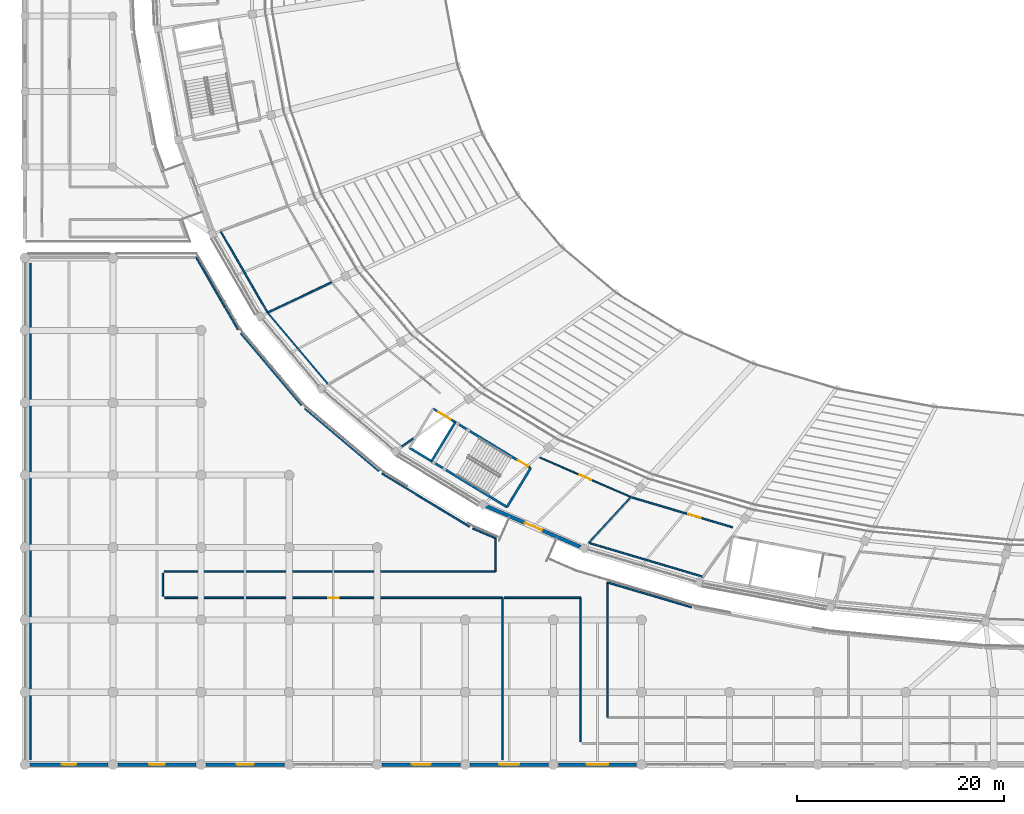
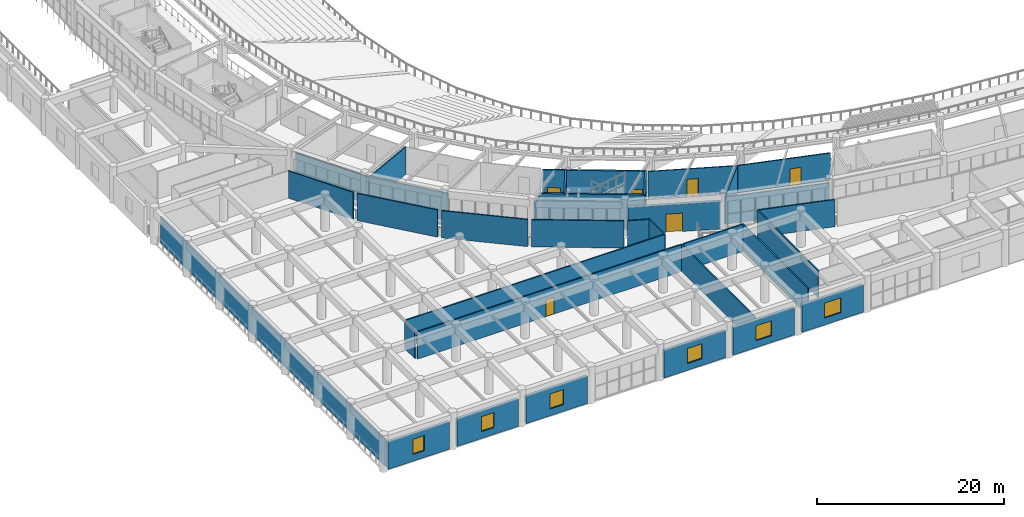
# One storey, part 91 of 137: 34 walls, 6 doors, 6 windows, 12 openings.
"""IFC4 building model written with IfcOpenShell, lengths in metres."""

from ifc_helpers import new_model, si_unit, direction, frame, frame_2d, origin, place, context, subcontext, project, spatial, rectangle, extrude, material, layer, layer_set, type_object, element, fill, save


model = new_model("IFC4")

# Units and contexts
model_context = context("Model", 3, precision=1e-05, world=origin(), true_north=direction((0.0, 1.0)))
body_context = subcontext(model_context, "Body", "Model", "MODEL_VIEW")
ifc_project = project(units=[si_unit("LENGTHUNIT", "METRE"), si_unit("AREAUNIT", "SQUARE_METRE"), si_unit("VOLUMEUNIT", "CUBIC_METRE"), si_unit("PLANEANGLEUNIT", "RADIAN"), si_unit("MASSUNIT", "GRAM", prefix="KILO")], contexts=[model_context])

# Site, building, storey
site_placement = place(None, origin())
site = spatial("IfcSite", under=ifc_project, at=site_placement, CompositionType="ELEMENT")
building_placement = place(site_placement, origin())
building = spatial("IfcBuilding", under=site, at=building_placement, Name="Mphavela Belvedere Stadium", CompositionType="ELEMENT")
storey_placement = place(building_placement, frame((0.0, 0.0, 19.199951171875)))
storey = spatial("IfcBuildingStorey", under=building, at=storey_placement, Name="L04", CompositionType="ELEMENT", Elevation=19.199951171875)

# Walls
ifc_material_1 = material(Name="Concrete C40/50", Category="concrete")
ifc_layer_1 = layer(ifc_material_1, 0.219970703125)
ifc_layer_set_1 = layer_set([ifc_layer_1], Name="Concrete C40/50")
wall_type_1 = type_object("IfcWallType", Name="WAL-CORE-SHEAR-220", PredefinedType="SHEAR", material=ifc_layer_set_1)
wall_1_placement = place(storey_placement, frame((46.62060546875, 24.908935546875, 0.0), z_axis=(0.0, 0.0, 1.0), x_axis=(-0.854373055797, 0.519660159651, 0.0)))
element("IfcWall", 1, at=wall_1_placement, inside=storey, type_object=wall_type_1, Name="Core C10 shear wall L04 rear", PredefinedType="SHEAR", context=body_context, shape_type="SweptSolid", body=[
    extrude(rectangle(XDim=11.019775390625, YDim=0.219970703125, at=frame_2d((5.509765625, 0.0))), origin(), (0.0, 0.0, 1.0), 4.550048828125),
])
wall_2_placement = place(storey_placement, frame((48.91259765625, 28.676513671875, 0.0), z_axis=(0.0, 0.0, 1.0), x_axis=(-0.519729151243, -0.854331088834, 0.0)))
element("IfcWall", 2, at=wall_2_placement, inside=storey, type_object=wall_type_1, Name="Core C10 shear wall L04 left", PredefinedType="SHEAR", context=body_context, shape_type="SweptSolid", body=[
    extrude(rectangle(XDim=4.409912109375, YDim=0.219970703125, at=frame_2d((2.205078125, 0.0))), origin(), (0.0, 0.0, 1.0), 4.550048828125),
])

# Wall, openings, doors
wall_3_placement = place(storey_placement, frame((48.91259765625, 28.676513671875, 0.0), z_axis=(0.0, 0.0, 1.0), x_axis=(-0.854369202373, 0.51966649501, 0.0)))
wall_3 = element("IfcWall", 3, at=wall_3_placement, inside=storey, type_object=wall_type_1, Name="Core C10 shear wall L04 front", PredefinedType="SHEAR", context=body_context, shape_type="SweptSolid", body=[
    extrude(rectangle(XDim=11.020263671875, YDim=0.219970703125, at=frame_2d((5.51025390625, 0.0))), origin(), (0.0, 0.0, 1.0), 4.550048828125),
])
opening_1_placement = place(wall_3_placement, frame((0.300048828125, 0.0, 0.0)))
opening_1 = element("IfcOpeningElement", 4, at=opening_1_placement, cuts=wall_3, Name="Opening SD-055", PredefinedType="OPENING", context=body_context, shape_type="SweptSolid", body=[
    extrude(rectangle(XDim=1.14990234375, YDim=2.14990234375, at=frame_2d((0.574951171875, 1.074951171875))), frame((0.0, 0.1201171875, 0.0), z_axis=(0.0, -1.0, 0.0), x_axis=(1.0, 0.0, 0.0)), (0.0, 0.0, 1.0), 0.239990234375),
])
opening_2_placement = place(wall_3_placement, frame((9.080078125, 0.0, 0.0)))
opening_2 = element("IfcOpeningElement", 5, at=opening_2_placement, cuts=wall_3, Name="Opening LD-055", PredefinedType="OPENING", context=body_context, shape_type="SweptSolid", body=[
    extrude(rectangle(XDim=1.39990234375, YDim=2.25, at=frame_2d((0.699951171875, 1.125))), frame((0.0, 0.1201171875, 0.0), z_axis=(0.0, -1.0, 0.0), x_axis=(1.0, 0.0, 0.0)), (0.0, 0.0, 1.0), 0.239990234375),
])
ifc_material_2 = material(Name="Heavy-duty stainless steel goods lift landing door", Category="steel")
door_type_1 = type_object("IfcDoorType", Name="DR-LIFT-SLIDE-1400", OperationType="NOTDEFINED", PredefinedType="DOOR", material=ifc_material_2)
door_1_placement = place(opening_2_placement, origin())
door_1 = element("IfcDoor", 6, at=door_1_placement, inside=storey, type_object=door_type_1, Name="Lift landing sliding door GL02 L04", OperationType="DOUBLE_DOOR_SLIDING", OverallHeight=2.25, OverallWidth=1.39990234375, PredefinedType="DOOR", context=body_context, shape_type="SweptSolid", body=[
    extrude(rectangle(XDim=1.39990234375, YDim=2.25, at=frame_2d((0.699951171875, 1.125))), frame((0.0, 0.02490234375, 0.0), z_axis=(0.0, -1.0, 0.0), x_axis=(1.0, 0.0, 0.0)), (0.0, 0.0, 1.0), 0.050048828125),
])
fill(opening_2, door_1)
ifc_material_3 = material(Name="Steel acoustic fire-resisting stair doorset", Category="steel")
door_type_2 = type_object("IfcDoorType", Name="DR-STAIR-FIRE-1150", OperationType="NOTDEFINED", PredefinedType="DOOR", material=ifc_material_3)
door_2_placement = place(opening_1_placement, origin())
door_2 = element("IfcDoor", 7, at=door_2_placement, inside=storey, type_object=door_type_2, Name="Escape stair fire door C10 L04", OperationType="SINGLE_SWING_LEFT", OverallHeight=2.14990234375, OverallWidth=1.14990234375, PredefinedType="DOOR", context=body_context, shape_type="SweptSolid", body=[
    extrude(rectangle(XDim=1.14990234375, YDim=2.14990234375, at=frame_2d((0.574951171875, 1.074951171875))), frame((0.0, 0.02490234375, 0.0), z_axis=(0.0, -1.0, 0.0), x_axis=(1.0, 0.0, 0.0)), (0.0, 0.0, 1.0), 0.050048828125),
])
fill(opening_1, door_2)

# Wall
wall_4_placement = place(storey_placement, frame((41.6162109375, 33.114501953125, 0.0), z_axis=(0.0, 0.0, 1.0), x_axis=(-0.519664162523, -0.854370621095, 0.0)))
element("IfcWall", 8, at=wall_4_placement, inside=storey, type_object=wall_type_1, Name="Core C10 shear wall L04 div", PredefinedType="SHEAR", context=body_context, shape_type="SweptSolid", body=[
    extrude(rectangle(XDim=4.41015625, YDim=0.219970703125, at=frame_2d((2.205078125, 0.0))), origin(), (0.0, 0.0, 1.0), 4.550048828125),
])

# Wall, opening, door
ifc_material_4 = material(Name="Honed ashlar limestone masonry", Category="masonry")
ifc_layer_2 = layer(ifc_material_4, 0.35009765625)
ifc_layer_set_2 = layer_set([ifc_layer_2], Name="Honed ashlar limestone masonry")
wall_type_2 = type_object("IfcWallType", Name="WAL-EXT-ASHLAR-350", PredefinedType="STANDARD", material=ifc_layer_set_2)
wall_5_placement = place(storey_placement, frame((53.7431640625, 21.047119140625, 0.0), z_axis=(0.0, 0.0, 1.0), x_axis=(-0.917498268626, 0.397739773052, 0.0)))
wall_5 = element("IfcWall", 9, at=wall_5_placement, inside=storey, type_object=wall_type_2, Name="Classical link portal wall L04-32", PredefinedType="STANDARD", context=body_context, shape_type="SweptSolid", body=[
    extrude(rectangle(XDim=9.940185546875, YDim=0.35009765625, at=frame_2d((4.97021484375, 0.0))), origin(), (0.0, 0.0, 1.0), 3.570068359375),
])
opening_3_placement = place(wall_5_placement, frame((4.070068359375, 0.0, 0.0)))
opening_3 = element("IfcOpeningElement", 10, at=opening_3_placement, cuts=wall_5, Name="Opening ID-9431", PredefinedType="OPENING", context=body_context, shape_type="SweptSolid", body=[
    extrude(rectangle(XDim=1.800048828125, YDim=2.39990234375, at=frame_2d((0.89990234375, 1.199951171875))), frame((0.0, 0.18505859375, 0.0), z_axis=(0.0, -1.0, 0.0), x_axis=(1.0, 0.0, 0.0)), (0.0, 0.0, 1.0), 0.3701171875),
])
ifc_material_5 = material(Name="Glazed bronze-anodised steel exit doorset", Category="steel")
door_type_3 = type_object("IfcDoorType", Name="DR-EXT-01", OperationType="NOTDEFINED", PredefinedType="DOOR", material=ifc_material_5)
door_3_placement = place(opening_3_placement, origin())
door_3 = element("IfcDoor", 11, at=door_3_placement, inside=storey, type_object=door_type_3, Name="Wing promenade link doorset L04-32", OperationType="DOUBLE_DOOR_SINGLE_SWING", OverallHeight=2.39990234375, OverallWidth=1.800048828125, PredefinedType="DOOR", context=body_context, shape_type="SweptSolid", body=[
    extrude(rectangle(XDim=1.800048828125, YDim=2.39990234375, at=frame_2d((0.89990234375, 1.199951171875))), frame((0.0, 0.02490234375, 0.0), z_axis=(0.0, -1.0, 0.0), x_axis=(1.0, 0.0, 0.0)), (0.0, 0.0, 1.0), 0.050048828125),
])
fill(opening_3, door_3)

# Wall, opening, window
wall_6_placement = place(storey_placement, frame((8.0458984375, 0.0, 0.0), z_axis=(0.0, 0.0, 1.0), x_axis=(-1.0, 0.0, 0.0)))
wall_6 = element("IfcWall", 12, at=wall_6_placement, inside=storey, type_object=wall_type_2, Name="South Axial Triumphal Peristyle Portico outer facade bay L04-01", PredefinedType="STANDARD", context=body_context, shape_type="SweptSolid", body=[
    extrude(rectangle(XDim=7.572998046875, YDim=0.35009765625, at=frame_2d((3.78662109375, 0.0))), origin(), (0.0, 0.0, 1.0), 3.56005859375),
])
opening_4_placement = place(wall_6_placement, frame((3.096435546875, 0.0, 0.89990234375)))
opening_4 = element("IfcOpeningElement", 13, at=opening_4_placement, cuts=wall_6, Name="Opening W-113", PredefinedType="OPENING", context=body_context, shape_type="SweptSolid", body=[
    extrude(rectangle(XDim=1.3798828125, YDim=1.949951171875, at=frame_2d((0.68994140625, 0.97509765625))), frame((0.0, 0.18505859375, 0.0), z_axis=(0.0, -1.0, 0.0), x_axis=(1.0, 0.0, 0.0)), (0.0, 0.0, 1.0), 0.3701171875),
])
ifc_material_6 = material(Name="Bronze-anodised thermally broken aluminium window", Category="aluminium")
window_type_1 = type_object("IfcWindowType", Name="WIN-EXT-25", PartitioningType="SINGLE_PANEL", PredefinedType="WINDOW", material=ifc_material_6)
window_1_placement = place(opening_4_placement, origin())
window_1 = element("IfcWindow", 14, at=window_1_placement, inside=storey, type_object=window_type_1, Name="South Axial Triumphal Peristyle Portico classical window W-113", OverallHeight=1.949951171875, OverallWidth=1.3798828125, PartitioningType="SINGLE_PANEL", PredefinedType="WINDOW", context=body_context, shape_type="SweptSolid", body=[
    extrude(rectangle(XDim=1.3798828125, YDim=1.949951171875, at=frame_2d((0.68994140625, 0.97509765625))), frame((0.0, 0.030029296875, 0.0), z_axis=(0.0, -1.0, 0.0), x_axis=(1.0, 0.0, 0.0)), (0.0, 0.0, 1.0), 0.06005859375),
])
fill(opening_4, window_1)

wall_7_placement = place(storey_placement, frame((16.56396484375, 0.0, 0.0), z_axis=(0.0, 0.0, 1.0), x_axis=(-1.0, 0.0, 0.0)))
wall_7 = element("IfcWall", 15, at=wall_7_placement, inside=storey, type_object=wall_type_2, Name="South Axial Triumphal Peristyle Portico outer facade bay L04-02", PredefinedType="STANDARD", context=body_context, shape_type="SweptSolid", body=[
    extrude(rectangle(XDim=7.572021484375, YDim=0.35009765625, at=frame_2d((3.7861328125, 0.0))), origin(), (0.0, 0.0, 1.0), 3.56005859375),
])
opening_5_placement = place(wall_7_placement, frame((3.02587890625, 0.0, 0.89990234375)))
opening_5 = element("IfcOpeningElement", 16, at=opening_5_placement, cuts=wall_7, Name="Opening W-114", PredefinedType="OPENING", context=body_context, shape_type="SweptSolid", body=[
    extrude(rectangle(XDim=1.52001953125, YDim=1.949951171875, at=frame_2d((0.760009765625, 0.97509765625))), frame((0.0, 0.18505859375, 0.0), z_axis=(0.0, -1.0, 0.0), x_axis=(1.0, 0.0, 0.0)), (0.0, 0.0, 1.0), 0.3701171875),
])
ifc_material_7 = material(Name="Bronze-anodised thermally broken aluminium window", Category="aluminium")
window_type_2 = type_object("IfcWindowType", Name="WIN-EXT-26", PartitioningType="SINGLE_PANEL", PredefinedType="WINDOW", material=ifc_material_7)
window_2_placement = place(opening_5_placement, origin())
window_2 = element("IfcWindow", 17, at=window_2_placement, inside=storey, type_object=window_type_2, Name="South Axial Triumphal Peristyle Portico classical window W-114", OverallHeight=1.949951171875, OverallWidth=1.52001953125, PartitioningType="SINGLE_PANEL", PredefinedType="WINDOW", context=body_context, shape_type="SweptSolid", body=[
    extrude(rectangle(XDim=1.52001953125, YDim=1.949951171875, at=frame_2d((0.760009765625, 0.97509765625))), frame((0.0, 0.030029296875, 0.0), z_axis=(0.0, -1.0, 0.0), x_axis=(1.0, 0.0, 0.0)), (0.0, 0.0, 1.0), 0.06005859375),
])
fill(opening_5, window_2)

wall_8_placement = place(storey_placement, frame((25.0830078125, 0.0, 0.0), z_axis=(0.0, 0.0, 1.0), x_axis=(-1.0, 0.0, 0.0)))
wall_8 = element("IfcWall", 18, at=wall_8_placement, inside=storey, type_object=wall_type_2, Name="South Axial Triumphal Peristyle Portico outer facade bay L04-03", PredefinedType="STANDARD", context=body_context, shape_type="SweptSolid", body=[
    extrude(rectangle(XDim=7.572998046875, YDim=0.35009765625, at=frame_2d((3.78662109375, 0.0))), origin(), (0.0, 0.0, 1.0), 3.56005859375),
])
opening_6_placement = place(wall_8_placement, frame((2.95654296875, 0.0, 0.89990234375)))
opening_6 = element("IfcOpeningElement", 19, at=opening_6_placement, cuts=wall_8, Name="Opening W-115", PredefinedType="OPENING", context=body_context, shape_type="SweptSolid", body=[
    extrude(rectangle(XDim=1.659912109375, YDim=1.949951171875, at=frame_2d((0.830078125, 0.97509765625))), frame((0.0, 0.18505859375, 0.0), z_axis=(0.0, -1.0, 0.0), x_axis=(1.0, 0.0, 0.0)), (0.0, 0.0, 1.0), 0.3701171875),
])
ifc_material_8 = material(Name="Bronze-anodised thermally broken aluminium window", Category="aluminium")
window_type_3 = type_object("IfcWindowType", Name="WIN-EXT-27", PartitioningType="SINGLE_PANEL", PredefinedType="WINDOW", material=ifc_material_8)
window_3_placement = place(opening_6_placement, origin())
window_3 = element("IfcWindow", 20, at=window_3_placement, inside=storey, type_object=window_type_3, Name="South Axial Triumphal Peristyle Portico classical window W-115", OverallHeight=1.949951171875, OverallWidth=1.659912109375, PartitioningType="SINGLE_PANEL", PredefinedType="WINDOW", context=body_context, shape_type="SweptSolid", body=[
    extrude(rectangle(XDim=1.659912109375, YDim=1.949951171875, at=frame_2d((0.830078125, 0.97509765625))), frame((0.0, 0.030029296875, 0.0), z_axis=(0.0, -1.0, 0.0), x_axis=(1.0, 0.0, 0.0)), (0.0, 0.0, 1.0), 0.06005859375),
])
fill(opening_6, window_3)

wall_9_placement = place(storey_placement, frame((42.1201171875, 0.0, 0.0), z_axis=(0.0, 0.0, 1.0), x_axis=(-1.0, 0.0, 0.0)))
wall_9 = element("IfcWall", 21, at=wall_9_placement, inside=storey, type_object=wall_type_2, Name="South Axial Triumphal Peristyle Portico outer facade bay L04-05", PredefinedType="STANDARD", context=body_context, shape_type="SweptSolid", body=[
    extrude(rectangle(XDim=7.572998046875, YDim=0.35009765625, at=frame_2d((3.78662109375, 0.0))), origin(), (0.0, 0.0, 1.0), 3.56005859375),
])
opening_7_placement = place(wall_9_placement, frame((2.886474609375, 0.0, 0.89990234375)))
opening_7 = element("IfcOpeningElement", 22, at=opening_7_placement, cuts=wall_9, Name="Opening W-116", PredefinedType="OPENING", context=body_context, shape_type="SweptSolid", body=[
    extrude(rectangle(XDim=1.800048828125, YDim=1.949951171875, at=frame_2d((0.89990234375, 0.97509765625))), frame((0.0, 0.18505859375, 0.0), z_axis=(0.0, -1.0, 0.0), x_axis=(1.0, 0.0, 0.0)), (0.0, 0.0, 1.0), 0.3701171875),
])
ifc_material_9 = material(Name="Bronze-anodised thermally broken aluminium window", Category="aluminium")
window_type_4 = type_object("IfcWindowType", Name="WIN-EXT-28", PartitioningType="SINGLE_PANEL", PredefinedType="WINDOW", material=ifc_material_9)
window_4_placement = place(opening_7_placement, origin())
window_4 = element("IfcWindow", 23, at=window_4_placement, inside=storey, type_object=window_type_4, Name="South Axial Triumphal Peristyle Portico classical window W-116", OverallHeight=1.949951171875, OverallWidth=1.800048828125, PartitioningType="SINGLE_PANEL", PredefinedType="WINDOW", context=body_context, shape_type="SweptSolid", body=[
    extrude(rectangle(XDim=1.800048828125, YDim=1.949951171875, at=frame_2d((0.89990234375, 0.97509765625))), frame((0.0, 0.030029296875, 0.0), z_axis=(0.0, -1.0, 0.0), x_axis=(1.0, 0.0, 0.0)), (0.0, 0.0, 1.0), 0.06005859375),
])
fill(opening_7, window_4)

wall_10_placement = place(storey_placement, frame((50.637939453125, 0.0, 0.0), z_axis=(0.0, 0.0, 1.0), x_axis=(-1.0, 0.0, 0.0)))
wall_10 = element("IfcWall", 24, at=wall_10_placement, inside=storey, type_object=wall_type_2, Name="South Axial Triumphal Peristyle Portico outer facade bay L04-06", PredefinedType="STANDARD", context=body_context, shape_type="SweptSolid", body=[
    extrude(rectangle(XDim=7.572021484375, YDim=0.35009765625, at=frame_2d((3.7861328125, 0.0))), origin(), (0.0, 0.0, 1.0), 3.56005859375),
])
opening_8_placement = place(wall_10_placement, frame((2.81591796875, 0.0, 0.89990234375)))
opening_8 = element("IfcOpeningElement", 25, at=opening_8_placement, cuts=wall_10, Name="Opening W-117", PredefinedType="OPENING", context=body_context, shape_type="SweptSolid", body=[
    extrude(rectangle(XDim=1.93994140625, YDim=1.949951171875, at=frame_2d((0.969970703125, 0.97509765625))), frame((0.0, 0.18505859375, 0.0), z_axis=(0.0, -1.0, 0.0), x_axis=(1.0, 0.0, 0.0)), (0.0, 0.0, 1.0), 0.3701171875),
])
ifc_material_10 = material(Name="Bronze-anodised thermally broken aluminium window", Category="aluminium")
window_type_5 = type_object("IfcWindowType", Name="WIN-EXT-29", PartitioningType="SINGLE_PANEL", PredefinedType="WINDOW", material=ifc_material_10)
window_5_placement = place(opening_8_placement, origin())
window_5 = element("IfcWindow", 26, at=window_5_placement, inside=storey, type_object=window_type_5, Name="South Axial Triumphal Peristyle Portico classical window W-117", OverallHeight=1.949951171875, OverallWidth=1.93994140625, PartitioningType="SINGLE_PANEL", PredefinedType="WINDOW", context=body_context, shape_type="SweptSolid", body=[
    extrude(rectangle(XDim=1.93994140625, YDim=1.949951171875, at=frame_2d((0.969970703125, 0.97509765625))), frame((0.0, 0.030029296875, 0.0), z_axis=(0.0, -1.0, 0.0), x_axis=(1.0, 0.0, 0.0)), (0.0, 0.0, 1.0), 0.06005859375),
])
fill(opening_8, window_5)

wall_11_placement = place(storey_placement, frame((59.156982421875, 0.0, 0.0), z_axis=(0.0, 0.0, 1.0), x_axis=(-1.0, 0.0, 0.0)))
wall_11 = element("IfcWall", 27, at=wall_11_placement, inside=storey, type_object=wall_type_2, Name="South Axial Triumphal Peristyle Portico outer facade bay L04-07", PredefinedType="STANDARD", context=body_context, shape_type="SweptSolid", body=[
    extrude(rectangle(XDim=7.572998046875, YDim=0.35009765625, at=frame_2d((3.78662109375, 0.0))), origin(), (0.0, 0.0, 1.0), 3.56005859375),
])
opening_9_placement = place(wall_11_placement, frame((2.74658203125, 0.0, 0.89990234375)))
opening_9 = element("IfcOpeningElement", 28, at=opening_9_placement, cuts=wall_11, Name="Opening W-118", PredefinedType="OPENING", context=body_context, shape_type="SweptSolid", body=[
    extrude(rectangle(XDim=2.080078125, YDim=1.949951171875, at=frame_2d((1.0400390625, 0.97509765625))), frame((0.0, 0.18505859375, 0.0), z_axis=(0.0, -1.0, 0.0), x_axis=(1.0, 0.0, 0.0)), (0.0, 0.0, 1.0), 0.3701171875),
])
ifc_material_11 = material(Name="Bronze-anodised thermally broken aluminium window", Category="aluminium")
window_type_6 = type_object("IfcWindowType", Name="WIN-EXT-30", PartitioningType="SINGLE_PANEL", PredefinedType="WINDOW", material=ifc_material_11)
window_6_placement = place(opening_9_placement, origin())
window_6 = element("IfcWindow", 29, at=window_6_placement, inside=storey, type_object=window_type_6, Name="South Axial Triumphal Peristyle Portico classical window W-118", OverallHeight=1.949951171875, OverallWidth=2.080078125, PartitioningType="SINGLE_PANEL", PredefinedType="WINDOW", context=body_context, shape_type="SweptSolid", body=[
    extrude(rectangle(XDim=2.080078125, YDim=1.949951171875, at=frame_2d((1.0400390625, 0.97509765625))), frame((0.0, 0.030029296875, 0.0), z_axis=(0.0, -1.0, 0.0), x_axis=(1.0, 0.0, 0.0)), (0.0, 0.0, 1.0), 0.06005859375),
])
fill(opening_9, window_6)

# Wall, opening, door
ifc_material_12 = material(Name="Moisture-resistant sanitary partition assembly")
ifc_layer_3 = layer(ifc_material_12, 0.125)
ifc_layer_set_3 = layer_set([ifc_layer_3], Name="Moisture-resistant sanitary partition assembly")
wall_type_3 = type_object("IfcWallType", Name="WAL-PART-125", PredefinedType="PARTITIONING", material=ifc_layer_set_3)
wall_12_placement = place(storey_placement, frame((49.809814453125, 29.690185546875, 0.0), z_axis=(0.0, 0.0, 1.0), x_axis=(0.917512204383, -0.397707624779, 0.0)))
wall_12 = element("IfcWall", 30, at=wall_12_placement, inside=storey, type_object=wall_type_3, Name="Room L04-81 corridor partition", PredefinedType="PARTITIONING", context=body_context, shape_type="SweptSolid", body=[
    extrude(rectangle(XDim=9.573974609375, YDim=0.125, at=frame_2d((4.787109375, 0.0))), origin(), (0.0, 0.0, 1.0), 3.550048828125),
])
opening_10_placement = place(wall_12_placement, frame((4.177001953125, 0.0, 0.0)))
opening_10 = element("IfcOpeningElement", 31, at=opening_10_placement, cuts=wall_12, Name="Opening ID-345", PredefinedType="OPENING", context=body_context, shape_type="SweptSolid", body=[
    extrude(rectangle(XDim=1.219970703125, YDim=2.199951171875, at=frame_2d((0.60986328125, 1.10009765625))), frame((0.0, 0.072509765625, 0.0), z_axis=(0.0, -1.0, 0.0), x_axis=(1.0, 0.0, 0.0)), (0.0, 0.0, 1.0), 0.14501953125),
])
ifc_material_13 = material(Name="Hardwood acoustic timber doorset", Category="wood")
door_type_4 = type_object("IfcDoorType", Name="DR-INT-21", OperationType="NOTDEFINED", PredefinedType="DOOR", material=ifc_material_13)
door_4_placement = place(opening_10_placement, origin())
door_4 = element("IfcDoor", 32, at=door_4_placement, inside=storey, type_object=door_type_4, Name="Room L04-81 entrance door ID-345", OperationType="SINGLE_SWING_LEFT", OverallHeight=2.199951171875, OverallWidth=1.219970703125, PredefinedType="DOOR", context=body_context, shape_type="SweptSolid", body=[
    extrude(rectangle(XDim=1.219970703125, YDim=2.199951171875, at=frame_2d((0.60986328125, 1.10009765625))), frame((0.0, 0.02490234375, 0.0), z_axis=(0.0, -1.0, 0.0), x_axis=(1.0, 0.0, 0.0)), (0.0, 0.0, 1.0), 0.050048828125),
])
fill(opening_10, door_4)

ifc_material_14 = material(Name="Acoustic gypsum stud partition assembly")
ifc_layer_4 = layer(ifc_material_14, 0.14990234375)
ifc_layer_set_4 = layer_set([ifc_layer_4], Name="Acoustic gypsum stud partition assembly")
wall_type_4 = type_object("IfcWallType", Name="WAL-PART-150", PredefinedType="PARTITIONING", material=ifc_layer_set_4)
wall_13_placement = place(storey_placement, frame((58.674072265625, 25.851318359375, 0.0), z_axis=(0.0, 0.0, 1.0), x_axis=(0.95865924659, -0.284556582997, 0.0)))
wall_13 = element("IfcWall", 33, at=wall_13_placement, inside=storey, type_object=wall_type_4, Name="Room L04-83 corridor partition", PredefinedType="PARTITIONING", context=body_context, shape_type="SweptSolid", body=[
    extrude(rectangle(XDim=10.171142578125, YDim=0.14990234375, at=frame_2d((5.08544921875, 0.0))), origin(), (0.0, 0.0, 1.0), 3.550048828125),
])
opening_11_placement = place(wall_13_placement, frame((5.6962890625, 0.0, 0.0)))
opening_11 = element("IfcOpeningElement", 34, at=opening_11_placement, cuts=wall_13, Name="Opening ID-346", PredefinedType="OPENING", context=body_context, shape_type="SweptSolid", body=[
    extrude(rectangle(XDim=1.260009765625, YDim=2.199951171875, at=frame_2d((0.6298828125, 1.10009765625))), frame((0.0, 0.0849609375, 0.0), z_axis=(0.0, -1.0, 0.0), x_axis=(1.0, 0.0, 0.0)), (0.0, 0.0, 1.0), 0.169921875),
])
ifc_material_15 = material(Name="Hardwood acoustic timber doorset", Category="wood")
door_type_5 = type_object("IfcDoorType", Name="DR-INT-22", OperationType="NOTDEFINED", PredefinedType="DOOR", material=ifc_material_15)
door_5_placement = place(opening_11_placement, origin())
door_5 = element("IfcDoor", 35, at=door_5_placement, inside=storey, type_object=door_type_5, Name="Room L04-83 entrance door ID-346", OperationType="SINGLE_SWING_RIGHT", OverallHeight=2.199951171875, OverallWidth=1.260009765625, PredefinedType="DOOR", context=body_context, shape_type="SweptSolid", body=[
    extrude(rectangle(XDim=1.260009765625, YDim=2.199951171875, at=frame_2d((0.6298828125, 1.10009765625))), frame((0.0, 0.02490234375, 0.0), z_axis=(0.0, -1.0, 0.0), x_axis=(1.0, 0.0, 0.0)), (0.0, 0.0, 1.0), 0.050048828125),
])
fill(opening_11, door_5)

wall_14_placement = place(storey_placement, frame((13.5, 16.139892578125, 0.0), z_axis=(0.0, 0.0, 1.0), x_axis=(1.0, 0.0, 0.0)))
wall_14 = element("IfcWall", 36, at=wall_14_placement, inside=storey, type_object=wall_type_4, Name="Room L04-103 corridor partition", PredefinedType="PARTITIONING", context=body_context, shape_type="SweptSolid", body=[
    extrude(rectangle(XDim=32.669921875, YDim=0.14990234375, at=frame_2d((16.3349609375, 0.0))), origin(), (0.0, 0.0, 1.0), 3.550048828125),
])
opening_12_placement = place(wall_14_placement, frame((15.824951171875, 0.0, 0.0)))
opening_12 = element("IfcOpeningElement", 37, at=opening_12_placement, cuts=wall_14, Name="Opening ID-412", PredefinedType="OPENING", context=body_context, shape_type="SweptSolid", body=[
    extrude(rectangle(XDim=1.02001953125, YDim=2.199951171875, at=frame_2d((0.510009765625, 1.10009765625))), frame((0.0, 0.0849609375, 0.0), z_axis=(0.0, -1.0, 0.0), x_axis=(1.0, 0.0, 0.0)), (0.0, 0.0, 1.0), 0.169921875),
])
ifc_material_16 = material(Name="Hardwood acoustic timber doorset", Category="wood")
door_type_6 = type_object("IfcDoorType", Name="DR-INT-16", OperationType="NOTDEFINED", PredefinedType="DOOR", material=ifc_material_16)
door_6_placement = place(opening_12_placement, origin())
door_6 = element("IfcDoor", 38, at=door_6_placement, inside=storey, type_object=door_type_6, Name="Room L04-103 entrance door ID-412", OperationType="SINGLE_SWING_RIGHT", OverallHeight=2.199951171875, OverallWidth=1.02001953125, PredefinedType="DOOR", context=body_context, shape_type="SweptSolid", body=[
    extrude(rectangle(XDim=1.02001953125, YDim=2.199951171875, at=frame_2d((0.510009765625, 1.10009765625))), frame((0.0, 0.02490234375, 0.0), z_axis=(0.0, -1.0, 0.0), x_axis=(1.0, 0.0, 0.0)), (0.0, 0.0, 1.0), 0.050048828125),
])
fill(opening_12, door_6)

# Walls
wall_15_placement = place(storey_placement, frame((29.662841796875, 46.6513671875, 0.0), z_axis=(0.0, 0.0, 1.0), x_axis=(-0.903854618659, -0.427839722709, 0.0)))
element("IfcWall", 39, at=wall_15_placement, inside=storey, type_object=wall_type_4, Name="Room divider partition L04-0612", PredefinedType="PARTITIONING", context=body_context, shape_type="SweptSolid", body=[
    extrude(rectangle(XDim=6.8515625, YDim=0.14990234375, at=frame_2d((3.42578125, 0.0))), origin(), (0.0, 0.0, 1.0), 3.550048828125),
])
wall_16_placement = place(storey_placement, frame((23.469970703125, 43.719970703125, 0.0), z_axis=(0.0, 0.0, 1.0), x_axis=(-0.500559416643, 0.865702183438, 0.0)))
element("IfcWall", 40, at=wall_16_placement, inside=storey, type_object=wall_type_4, Name="Room divider partition L04-0613", PredefinedType="PARTITIONING", context=body_context, shape_type="SweptSolid", body=[
    extrude(rectangle(XDim=9.06298828125, YDim=0.14990234375, at=frame_2d((4.531494140625, 0.0))), origin(), (0.0, 0.0, 1.0), 3.550048828125),
])
wall_17_placement = place(storey_placement, frame((29.322021484375, 36.780517578125, 0.0), z_axis=(0.0, 0.0, 1.0), x_axis=(-0.645159696095, 0.764047751475, 0.0)))
element("IfcWall", 41, at=wall_17_placement, inside=storey, type_object=wall_type_4, Name="Room divider partition L04-0615", PredefinedType="PARTITIONING", context=body_context, shape_type="SweptSolid", body=[
    extrude(rectangle(XDim=8.99658203125, YDim=0.14990234375, at=frame_2d((4.498291015625, 0.0))), origin(), (0.0, 0.0, 1.0), 3.550048828125),
])
wall_18_placement = place(storey_placement, frame((37.538330078125, 31.54833984375, 0.0), z_axis=(0.0, 0.0, 1.0), x_axis=(-0.81288723642, -0.582421102695, 0.0)))
element("IfcWall", 42, at=wall_18_placement, inside=storey, type_object=wall_type_4, Name="Room divider partition L04-0616", PredefinedType="PARTITIONING", context=body_context, shape_type="SweptSolid", body=[
    extrude(rectangle(XDim=1.346435546875, YDim=0.14990234375, at=frame_2d((0.67333984375, 0.0))), origin(), (0.0, 0.0, 1.0), 3.550048828125),
])
wall_19_placement = place(storey_placement, frame((58.593994140625, 25.882568359375, 0.0), z_axis=(0.0, 0.0, 1.0), x_axis=(-0.677860688777, -0.7351903744, 0.0)))
element("IfcWall", 43, at=wall_19_placement, inside=storey, type_object=wall_type_4, Name="Room divider partition L04-0618", PredefinedType="PARTITIONING", context=body_context, shape_type="SweptSolid", body=[
    extrude(rectangle(XDim=6.021484375, YDim=0.14990234375, at=frame_2d((3.0107421875, 0.0))), origin(), (0.0, 0.0, 1.0), 3.550048828125),
])
wall_20_placement = place(storey_placement, frame((65.558837890625, 18.17333984375, 0.0), z_axis=(0.0, 0.0, 1.0), x_axis=(-0.958657149099, 0.284563649264, 0.0)))
element("IfcWall", 44, at=wall_20_placement, inside=storey, type_object=wall_type_4, Name="Room divider partition L04-0620", PredefinedType="PARTITIONING", context=body_context, shape_type="SweptSolid", body=[
    extrude(rectangle(XDim=11.4365234375, YDim=0.14990234375, at=frame_2d((5.71826171875, 0.0))), origin(), (0.0, 0.0, 1.0), 3.550048828125),
])
wall_21_placement = place(storey_placement, frame((16.5673828125, 49.050048828125, 0.0), z_axis=(0.0, 0.0, 1.0), x_axis=(0.500545605998, -0.865710168773, 0.0)))
element("IfcWall", 45, at=wall_21_placement, inside=storey, type_object=wall_type_4, Name="Room divider partition L04-0838", PredefinedType="PARTITIONING", context=body_context, shape_type="SweptSolid", body=[
    extrude(rectangle(XDim=8.04296875, YDim=0.14990234375, at=frame_2d((4.021484375, 0.0))), origin(), (0.0, 0.0, 1.0), 3.550048828125),
])
wall_22_placement = place(storey_placement, frame((20.847412109375, 41.7255859375, 0.0), z_axis=(0.0, 0.0, 1.0), x_axis=(0.645180125691, -0.764030500316, 0.0)))
element("IfcWall", 46, at=wall_22_placement, inside=storey, type_object=wall_type_4, Name="Room divider partition L04-0839", PredefinedType="PARTITIONING", context=body_context, shape_type="SweptSolid", body=[
    extrude(rectangle(XDim=9.1513671875, YDim=0.14990234375, at=frame_2d((4.57568359375, 0.0))), origin(), (0.0, 0.0, 1.0), 3.550048828125),
])
wall_23_placement = place(storey_placement, frame((27.04931640625, 34.435791015625, 0.0), z_axis=(0.0, 0.0, 1.0), x_axis=(0.76426547638, -0.644901761212, 0.0)))
element("IfcWall", 47, at=wall_23_placement, inside=storey, type_object=wall_type_4, Name="Room divider partition L04-0840", PredefinedType="PARTITIONING", context=body_context, shape_type="SweptSolid", body=[
    extrude(rectangle(XDim=9.3984375, YDim=0.14990234375, at=frame_2d((4.69921875, 0.0))), origin(), (0.0, 0.0, 1.0), 3.550048828125),
])
wall_24_placement = place(storey_placement, frame((34.544921875, 28.149658203125, 0.0), z_axis=(0.0, 0.0, 1.0), x_axis=(0.854333268174, -0.519725568826, 0.0)))
element("IfcWall", 48, at=wall_24_placement, inside=storey, type_object=wall_type_4, Name="Room divider partition L04-0841", PredefinedType="PARTITIONING", context=body_context, shape_type="SweptSolid", body=[
    extrude(rectangle(XDim=9.90185546875, YDim=0.14990234375, at=frame_2d((4.950927734375, 0.0))), origin(), (0.0, 0.0, 1.0), 3.550048828125),
])
wall_25_placement = place(storey_placement, frame((43.3095703125, 22.845458984375, 0.0), z_axis=(0.0, 0.0, 1.0), x_axis=(0.917484400903, -0.397771761314, 0.0)))
element("IfcWall", 49, at=wall_25_placement, inside=storey, type_object=wall_type_4, Name="Room divider partition L04-0842", PredefinedType="PARTITIONING", context=body_context, shape_type="SweptSolid", body=[
    extrude(rectangle(XDim=2.37646484375, YDim=0.14990234375, at=frame_2d((1.188232421875, 0.0))), origin(), (0.0, 0.0, 1.0), 3.550048828125),
])
wall_26_placement = place(storey_placement, frame((45.489990234375, 21.900146484375, 0.0), z_axis=(0.0, 0.0, 1.0), x_axis=(0.0, -1.0, 0.0)))
element("IfcWall", 50, at=wall_26_placement, inside=storey, type_object=wall_type_4, Name="Room divider partition L04-0843", PredefinedType="PARTITIONING", context=body_context, shape_type="SweptSolid", body=[
    extrude(rectangle(XDim=3.240234375, YDim=0.14990234375, at=frame_2d((1.6201171875, 0.0))), origin(), (0.0, 0.0, 1.0), 3.550048828125),
])
wall_27_placement = place(storey_placement, frame((45.489990234375, 18.659912109375, 0.0), z_axis=(0.0, 0.0, 1.0), x_axis=(-0.999999999738, -2.2884168e-05, 0.0)))
element("IfcWall", 51, at=wall_27_placement, inside=storey, type_object=wall_type_4, Name="Room divider partition L04-0844", PredefinedType="PARTITIONING", context=body_context, shape_type="SweptSolid", body=[
    extrude(rectangle(XDim=32.005615234375, YDim=0.14990234375, at=frame_2d((16.0029296875, 0.0))), origin(), (0.0, 0.0, 1.0), 3.550048828125),
])
wall_28_placement = place(storey_placement, frame((13.340087890625, 18.5, 0.0), z_axis=(0.0, 0.0, 1.0), x_axis=(0.0, -1.0, 0.0)))
element("IfcWall", 52, at=wall_28_placement, inside=storey, type_object=wall_type_4, Name="Room divider partition L04-0845", PredefinedType="PARTITIONING", context=body_context, shape_type="SweptSolid", body=[
    extrude(rectangle(XDim=2.199951171875, YDim=0.14990234375, at=frame_2d((1.10009765625, 0.0))), origin(), (0.0, 0.0, 1.0), 3.550048828125),
])
wall_29_placement = place(storey_placement, frame((46.169921875, 16.139892578125, 0.0), z_axis=(0.0, 0.0, 1.0), x_axis=(0.0, -1.0, 0.0)))
element("IfcWall", 53, at=wall_29_placement, inside=storey, type_object=wall_type_4, Name="Room divider partition L04-0846", PredefinedType="PARTITIONING", context=body_context, shape_type="SweptSolid", body=[
    extrude(rectangle(XDim=15.68994140625, YDim=0.14990234375, at=frame_2d((7.844970703125, 0.0))), origin(), (0.0, 0.0, 1.0), 3.550048828125),
])
wall_30_placement = place(storey_placement, frame((0.550048828125, 0.449951171875, 0.0), z_axis=(0.0, 0.0, 1.0), x_axis=(0.0, 1.0, 0.0)))
element("IfcWall", 54, at=wall_30_placement, inside=storey, type_object=wall_type_4, Name="Room divider partition L04-0847", PredefinedType="PARTITIONING", context=body_context, shape_type="SweptSolid", body=[
    extrude(rectangle(XDim=48.050048828125, YDim=0.14990234375, at=frame_2d((24.02490234375, 0.0))), origin(), (0.0, 0.0, 1.0), 3.550048828125),
])
wall_31_placement = place(storey_placement, frame((53.739990234375, 16.139892578125, 0.0), z_axis=(0.0, 0.0, 1.0), x_axis=(0.0, -1.0, 0.0)))
element("IfcWall", 55, at=wall_31_placement, inside=storey, type_object=wall_type_4, Name="Room divider partition L04-0849", PredefinedType="PARTITIONING", context=body_context, shape_type="SweptSolid", body=[
    extrude(rectangle(XDim=13.93994140625, YDim=0.14990234375, at=frame_2d((6.969970703125, 0.0))), origin(), (0.0, 0.0, 1.0), 3.550048828125),
])
wall_32_placement = place(storey_placement, frame((46.3701171875, 16.139892578125, 0.0), z_axis=(0.0, 0.0, 1.0), x_axis=(1.0, 0.0, 0.0)))
element("IfcWall", 56, at=wall_32_placement, inside=storey, type_object=wall_type_4, Name="Room divider partition L04-0851", PredefinedType="PARTITIONING", context=body_context, shape_type="SweptSolid", body=[
    extrude(rectangle(XDim=7.369873046875, YDim=0.14990234375, at=frame_2d((3.68505859375, 0.0))), origin(), (0.0, 0.0, 1.0), 3.550048828125),
])
wall_33_placement = place(storey_placement, frame((56.360107421875, 4.56005859375, 0.0), z_axis=(0.0, 0.0, 1.0), x_axis=(0.0, 1.0, 0.0)))
element("IfcWall", 57, at=wall_33_placement, inside=storey, type_object=wall_type_4, Name="Room divider partition L04-0869", PredefinedType="PARTITIONING", context=body_context, shape_type="SweptSolid", body=[
    extrude(rectangle(XDim=13.058837890625, YDim=0.14990234375, at=frame_2d((6.529296875, 0.0))), origin(), (0.0, 0.0, 1.0), 3.550048828125),
])
wall_34_placement = place(storey_placement, frame((56.360107421875, 17.618896484375, 0.0), z_axis=(0.0, 0.0, 1.0), x_axis=(0.95866000112, -0.284554041006, 0.0)))
element("IfcWall", 58, at=wall_34_placement, inside=storey, type_object=wall_type_4, Name="Room divider partition L04-0870", PredefinedType="PARTITIONING", context=body_context, shape_type="SweptSolid", body=[
    extrude(rectangle(XDim=8.477783203125, YDim=0.14990234375, at=frame_2d((4.23876953125, 0.0))), origin(), (0.0, 0.0, 1.0), 3.550048828125),
])

save(model, "model.ifc")
